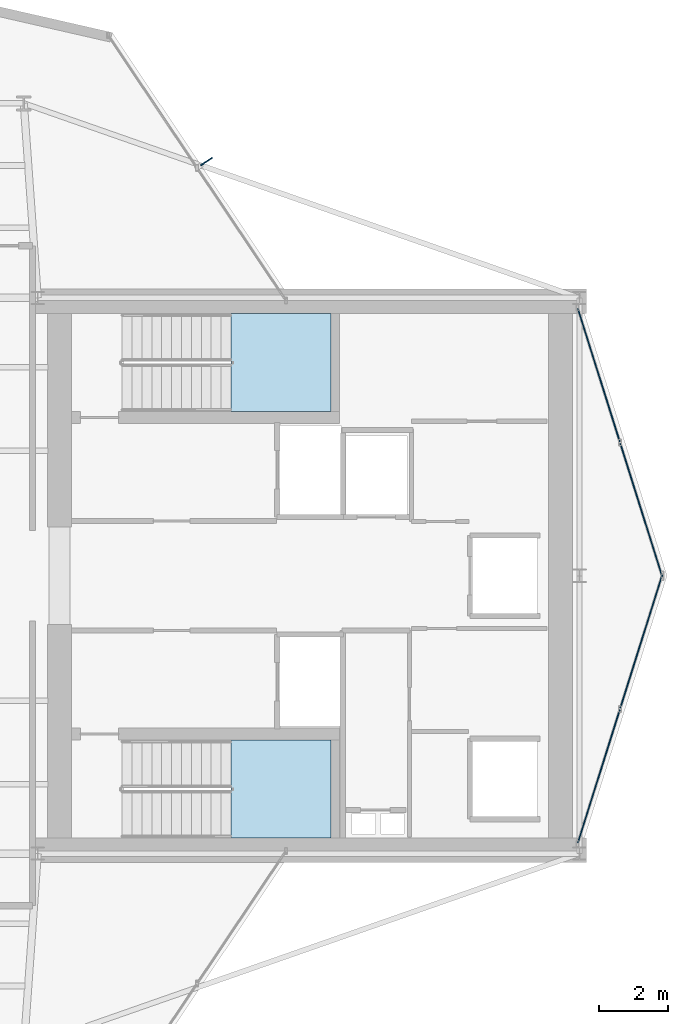
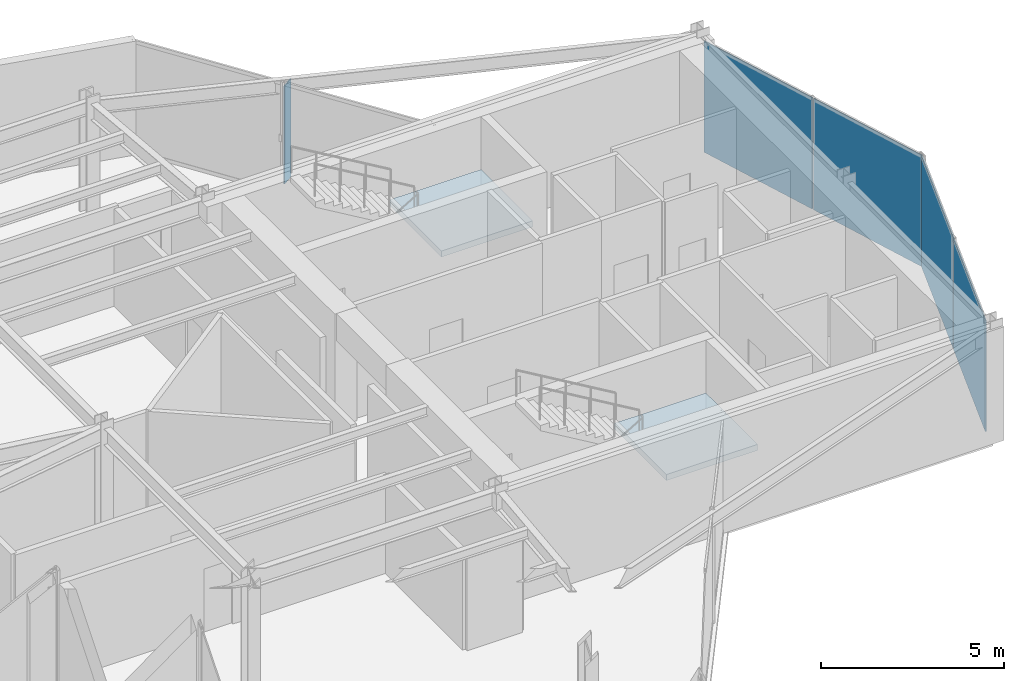
# One storey, part 19 of 22: 5 plates, 2 slabs, 4 elements without a shape of their own.
"""IFC4 building model written with IfcOpenShell, lengths in metres."""

from ifc_helpers import new_model, si_unit, direction, frame, origin, origin_2d, place, context, subcontext, project, spatial, polyline, rectangle, outline, extrude, material, layer, layer_set, type_object, element, aggregate, save


model = new_model("IFC4")

# Units and contexts
model_context = context("Model", 3, precision=1e-05, world=origin(), true_north=direction((0.0, 1.0)))
body_context = subcontext(model_context, "Body", "Model", "MODEL_VIEW")
ifc_project = project(units=[si_unit("LENGTHUNIT", "METRE"), si_unit("AREAUNIT", "SQUARE_METRE"), si_unit("VOLUMEUNIT", "CUBIC_METRE"), si_unit("PLANEANGLEUNIT", "RADIAN"), si_unit("MASSUNIT", "GRAM", prefix="KILO")], contexts=[model_context])

# Site, building, storey
site_placement = place(None, origin())
site = spatial("IfcSite", under=ifc_project, at=site_placement, CompositionType="ELEMENT")
building_placement = place(site_placement, origin())
building = spatial("IfcBuilding", under=site, at=building_placement, Name="Veymaron Broadcast Tower", CompositionType="ELEMENT")
storey_placement = place(building_placement, frame((0.0, 0.0, 208.050048828125)))
storey = spatial("IfcBuildingStorey", under=building, at=storey_placement, Name="L48", CompositionType="ELEMENT", Elevation=208.050048828125)

# Curtain wall, plates
ifc_material_1 = material(Name="Anodised aluminium AA 6063-T6 and laminated low-E dark glass", Category="aluminium")
ifc_layer_1 = layer(ifc_material_1, 0.179931640625)
ifc_layer_set_1 = layer_set([ifc_layer_1], Name="Anodised aluminium AA 6063-T6 and laminated low-E dark glass")
curtain_wall_type = type_object("IfcCurtainWallType", Name="CW-SYS-05", PredefinedType="NOTDEFINED", material=ifc_layer_set_1)
curtain_wall_1_placement = place(storey_placement, origin())
curtain_wall_1 = element("IfcCurtainWall", 1, at=curtain_wall_1_placement, inside=storey, type_object=curtain_wall_type, Name="L48 dark-glass curtain wall CW-L48-E2-1", PredefinedType="NOTDEFINED")
ifc_material_2 = material(Name="Double-silver solar-control dark glass IGU 32 mm", Category="glass")
ifc_layer_2 = layer(ifc_material_2, 0.031982421875)
ifc_layer_set_2 = layer_set([ifc_layer_2], Name="Double-silver solar-control dark glass IGU 32 mm")
plate_type_1 = type_object("IfcPlateType", Name="CW-PNL-02", PredefinedType="CURTAIN_PANEL", material=ifc_layer_set_2)
plate_1_placement = place(storey_placement, frame((55.154296875, 18.225341796875, 0.0400390625), z_axis=(0.0, 0.0, 1.0), x_axis=(0.300456106688, 0.953795642658, 0.0)))
plate_1 = element("IfcPlate", 2, at=plate_1_placement, type_object=plate_type_1, Name="CW-L48-E2-1 unitised curtain panel 0", PredefinedType="CURTAIN_PANEL", context=body_context, shape_type="SweptSolid", body=[
    extrude(rectangle(XDim=4.005615234375, YDim=0.031982421875, at=origin_2d()), origin(), (0.0, 0.0, 1.0), 3.7099609375),
])
plate_2_placement = place(storey_placement, frame((56.375732421875, 22.10302734375, 0.0400390625), z_axis=(0.0, 0.0, 1.0), x_axis=(0.300456106688, 0.953795642658, 0.0)))
plate_2 = element("IfcPlate", 3, at=plate_2_placement, type_object=plate_type_1, Name="CW-L48-E2-1 unitised curtain panel 1", PredefinedType="CURTAIN_PANEL", context=body_context, shape_type="SweptSolid", body=[
    extrude(rectangle(XDim=4.005615234375, YDim=0.031982421875, at=origin_2d()), origin(), (0.0, 0.0, 1.0), 3.7099609375),
])
aggregate(curtain_wall_1, [plate_1, plate_2])

curtain_wall_2_placement = place(storey_placement, origin())
curtain_wall_2 = element("IfcCurtainWall", 4, at=curtain_wall_2_placement, inside=storey, type_object=curtain_wall_type, Name="L48 dark-glass curtain wall CW-L48-E3-1", PredefinedType="NOTDEFINED")
plate_3_placement = place(storey_placement, frame((56.375732421875, 25.89697265625, 0.0400390625), z_axis=(0.0, 0.0, 1.0), x_axis=(-0.300456106688, 0.953795642658, 0.0)))
plate_3 = element("IfcPlate", 5, at=plate_3_placement, type_object=plate_type_1, Name="CW-L48-E3-1 unitised curtain panel 0", PredefinedType="CURTAIN_PANEL", context=body_context, shape_type="SweptSolid", body=[
    extrude(rectangle(XDim=4.005615234375, YDim=0.031982421875, at=origin_2d()), origin(), (0.0, 0.0, 1.0), 3.7099609375),
])
plate_4_placement = place(storey_placement, frame((55.154296875, 29.774658203125, 0.0400390625), z_axis=(0.0, 0.0, 1.0), x_axis=(-0.300456106688, 0.953795642658, 0.0)))
plate_4 = element("IfcPlate", 6, at=plate_4_placement, type_object=plate_type_1, Name="CW-L48-E3-1 unitised curtain panel 1", PredefinedType="CURTAIN_PANEL", context=body_context, shape_type="SweptSolid", body=[
    extrude(rectangle(XDim=4.005615234375, YDim=0.031982421875, at=origin_2d()), origin(), (0.0, 0.0, 1.0), 3.7099609375),
])
aggregate(curtain_wall_2, [plate_3, plate_4])

# Plate
ifc_material_3 = material(Name="Dark-anodised aluminium AA 6061-T6", Category="aluminium")
ifc_layer_3 = layer(ifc_material_3, 0.031982421875)
ifc_layer_set_3 = layer_set([ifc_layer_3], Name="Dark-anodised aluminium AA 6061-T6")
plate_type_2 = type_object("IfcPlateType", Name="FIN-CHEV-03", PredefinedType="USERDEFINED", material=ifc_layer_set_3)
plate_5_placement = place(storey_placement, frame((43.862060546875, 35.92578125, 0.26513671875), z_axis=(0.0, 0.0, 1.0), x_axis=(0.830741660426, 0.556658147909, 0.0)))
element("IfcPlate", 7, at=plate_5_placement, inside=storey, type_object=plate_type_2, Name="CW-L48-E5-1 chevron fin 1", ObjectType="FIN", PredefinedType="USERDEFINED", context=body_context, shape_type="SweptSolid", body=[
    extrude(rectangle(XDim=0.39990234375, YDim=0.034912109375, at=origin_2d()), origin(), (0.0, 0.0, 1.0), 3.259521484375),
])

# Stair, slab
ifc_material_4 = material(Name="Concrete C50/60", Category="concrete")
stair_type_1 = type_object("IfcStairType", Name="STAIR-CORE-1", PredefinedType="HALF_TURN_STAIR", material=ifc_material_4)
stair_1_placement = place(storey_placement, origin())
stair_1 = element("IfcStair", 8, at=stair_1_placement, inside=storey, type_object=stair_type_1, Name="L48 North protected dog-leg exit stair ST1", PredefinedType="HALF_TURN_STAIR")
ifc_layer_4 = layer(ifc_material_4, 0.199951171875)
ifc_layer_set_4 = layer_set([ifc_layer_4], Name="Concrete C50/60")
slab_type = type_object("IfcSlabType", Name="SLAB-STAIR-LDG", PredefinedType="LANDING", material=ifc_layer_set_4)
slab_1_placement = place(storey_placement, frame((0.0, 0.0, 1.824951171875)))
slab_1 = element("IfcSlab", 9, at=slab_1_placement, type_object=slab_type, Name="ST1 landing 1", PredefinedType="LANDING", context=body_context, shape_type="SweptSolid", body=[
    extrude(outline(polyline([(44.56494140625, 28.72998046875), (47.43994140625, 28.72998046875), (47.43994140625, 31.550048828125), (44.56494140625, 31.550048828125), (44.56494140625, 28.72998046875)])), origin(), (0.0, 0.0, 1.0), 0.199951171875),
])
aggregate(stair_1, [slab_1])

stair_type_2 = type_object("IfcStairType", Name="STAIR-CORE-2", PredefinedType="HALF_TURN_STAIR", material=ifc_material_4)
stair_2_placement = place(storey_placement, origin())
stair_2 = element("IfcStair", 10, at=stair_2_placement, inside=storey, type_object=stair_type_2, Name="L48 South protected dog-leg exit stair ST2", PredefinedType="HALF_TURN_STAIR")
slab_2_placement = place(storey_placement, frame((0.0, 0.0, 1.824951171875)))
slab_2 = element("IfcSlab", 11, at=slab_2_placement, type_object=slab_type, Name="ST2 landing 1", PredefinedType="LANDING", context=body_context, shape_type="SweptSolid", body=[
    extrude(outline(polyline([(44.56494140625, 16.449951171875), (47.43994140625, 16.449951171875), (47.43994140625, 19.27001953125), (44.56494140625, 19.27001953125), (44.56494140625, 16.449951171875)])), origin(), (0.0, 0.0, 1.0), 0.199951171875),
])
aggregate(stair_2, [slab_2])

save(model, "model.ifc")
